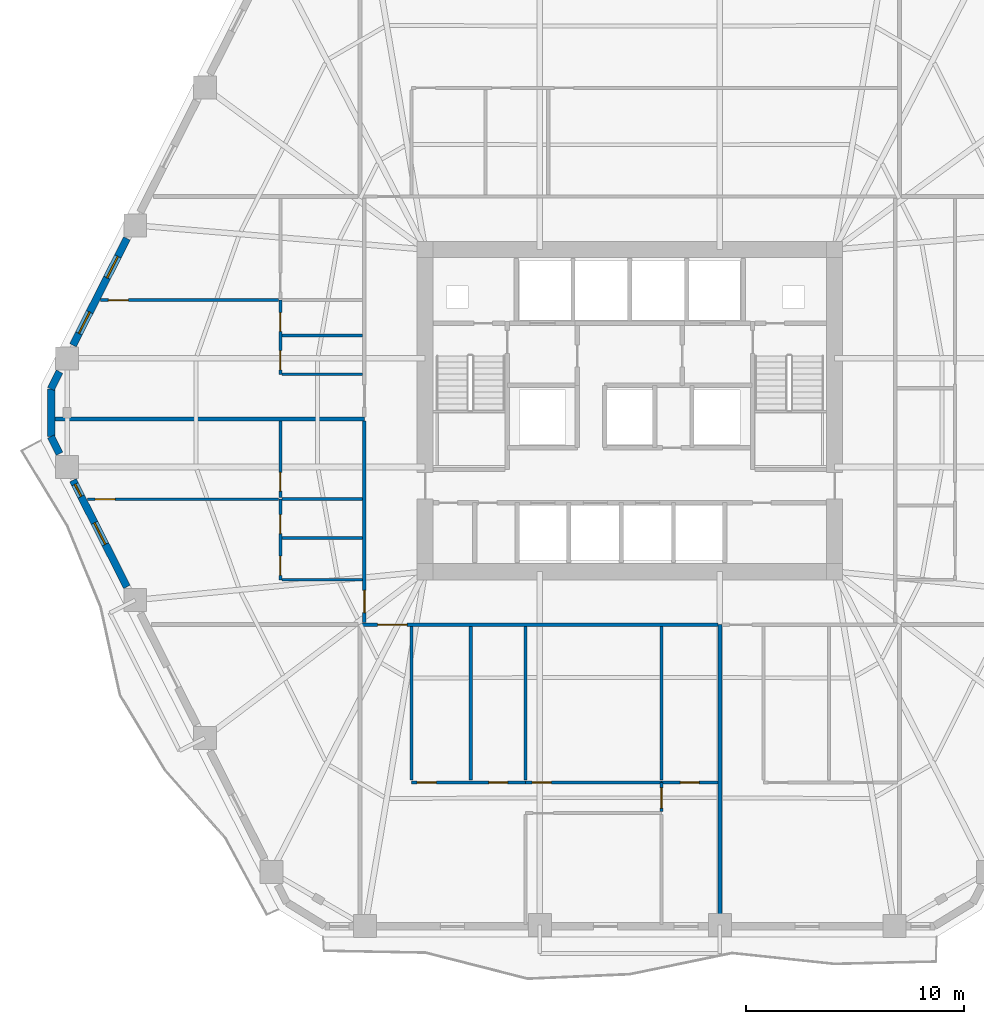
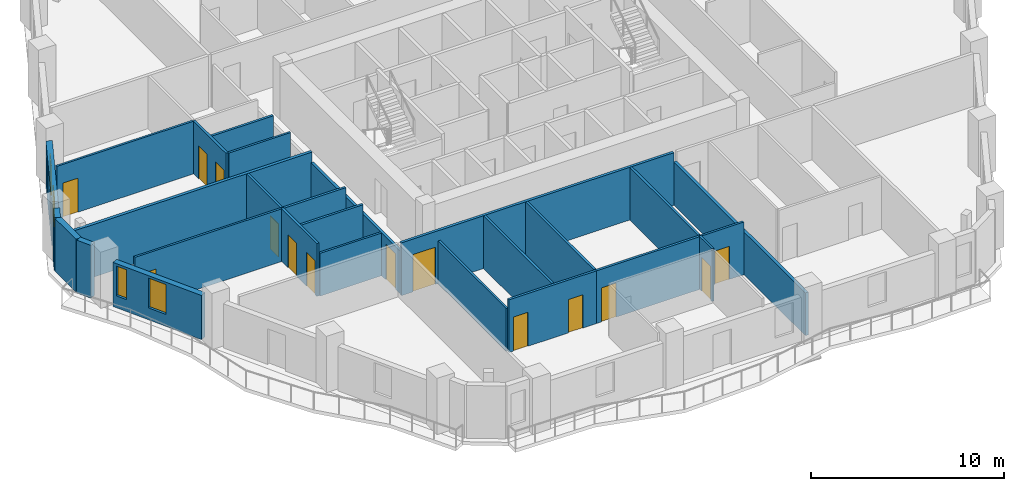
# One storey, part 4 of 10: 27 walls, 14 doors, 4 windows, 18 openings.
"""IFC4 building model written with IfcOpenShell, lengths in metres."""

from ifc_helpers import new_model, si_unit, direction, frame, frame_2d, origin, place, context, subcontext, project, spatial, rectangle, extrude, material, layer, layer_set, type_object, element, fill, save


model = new_model("IFC4")

# Units and contexts
model_context = context("Model", 3, precision=1e-05, world=origin(), true_north=direction((0.0, 1.0)))
body_context = subcontext(model_context, "Body", "Model", "MODEL_VIEW")
ifc_project = project(units=[si_unit("LENGTHUNIT", "METRE"), si_unit("AREAUNIT", "SQUARE_METRE"), si_unit("VOLUMEUNIT", "CUBIC_METRE"), si_unit("PLANEANGLEUNIT", "RADIAN"), si_unit("MASSUNIT", "GRAM", prefix="KILO")], contexts=[model_context])

# Site, building, storey
site_placement = place(None, origin())
site = spatial("IfcSite", under=ifc_project, at=site_placement, CompositionType="ELEMENT")
building_placement = place(site_placement, origin())
building = spatial("IfcBuilding", under=site, at=building_placement, Name="Cinnabar Lancet Tower", CompositionType="ELEMENT")
storey_placement = place(building_placement, frame((0.0, 0.0, 87.10009765625)))
storey = spatial("IfcBuildingStorey", under=building, at=storey_placement, Name="L22", CompositionType="ELEMENT", Elevation=87.10009765625)

# Wall, opening, door
ifc_material_1 = material(Name="Acoustic twin-stud gypsum partition", Category="gypsum")
ifc_layer_1 = layer(ifc_material_1, 0.159912109375)
ifc_layer_set_1 = layer_set([ifc_layer_1], Name="Acoustic twin-stud gypsum partition")
wall_type_1 = type_object("IfcWallType", Name="ARC-WL-CORR-160", PredefinedType="PARTITIONING", material=ifc_layer_set_1)
wall_1_placement = place(storey_placement, frame((20.14501953125, 16.10009765625, 0.0), z_axis=(0.0, 0.0, 1.0), x_axis=(1.0, 0.0, 0.0)))
wall_1 = element("IfcWall", 1, at=wall_1_placement, inside=storey, type_object=wall_type_1, Name="L22 Unit S01 Corridor Wall", PredefinedType="PARTITIONING", context=body_context, shape_type="SweptSolid", body=[
    extrude(rectangle(XDim=16.281982421875, YDim=0.159912109375, at=frame_2d((8.14111328125, 0.0))), origin(), (0.0, 0.0, 1.0), 3.329833984375),
])
opening_1_placement = place(wall_1_placement, frame((0.705078125, 0.0, 0.0)))
opening_1 = element("IfcOpeningElement", 2, at=opening_1_placement, cuts=wall_1, Name="Opening UD-02", PredefinedType="OPENING", context=body_context, shape_type="SweptSolid", body=[
    extrude(rectangle(XDim=1.35009765625, YDim=2.35009765625, at=frame_2d((0.675048828125, 1.175048828125))), frame((0.0, 0.08984375, 0.0), z_axis=(0.0, -1.0, 0.0), x_axis=(1.0, 0.0, 0.0)), (0.0, 0.0, 1.0), 0.179931640625),
])
ifc_material_2 = material(Name="Double-leaf solid timber penthouse entrance door", Category="wood")
door_type_1 = type_object("IfcDoorType", Name="ARC-DR-UNIT-PH", OperationType="NOTDEFINED", PredefinedType="DOOR", material=ifc_material_2)
door_1_placement = place(opening_1_placement, origin())
door_1 = element("IfcDoor", 3, at=door_1_placement, inside=storey, type_object=door_type_1, Name="DR-L22-S01-ENT", OperationType="SINGLE_SWING_LEFT", OverallHeight=2.35009765625, OverallWidth=1.35009765625, PredefinedType="DOOR", context=body_context, shape_type="SweptSolid", body=[
    extrude(rectangle(XDim=1.35009765625, YDim=2.35009765625, at=frame_2d((0.675048828125, 1.175048828125))), frame((0.0, 0.02490234375, 0.0), z_axis=(0.0, -1.0, 0.0), x_axis=(1.0, 0.0, 0.0)), (0.0, 0.0, 1.0), 0.050048828125),
])
fill(opening_1, door_1)

wall_2_placement = place(storey_placement, frame((20.25, 16.195068359375, 0.0), z_axis=(0.0, 0.0, 1.0), x_axis=(0.0, 1.0, 0.0)))
wall_2 = element("IfcWall", 4, at=wall_2_placement, inside=storey, type_object=wall_type_1, Name="UW-L22-W01-COR", PredefinedType="PARTITIONING", context=body_context, shape_type="SweptSolid", body=[
    extrude(rectangle(XDim=9.218017578125, YDim=0.159912109375, at=frame_2d((4.60888671875, 0.0))), origin(), (0.0, 0.0, 1.0), 2.699951171875),
])
opening_2_placement = place(wall_2_placement, frame((0.449951171875, 0.0, 0.0)))
opening_2 = element("IfcOpeningElement", 5, at=opening_2_placement, cuts=wall_2, Name="Opening UD-01", PredefinedType="OPENING", context=body_context, shape_type="SweptSolid", body=[
    extrude(rectangle(XDim=1.02001953125, YDim=2.25, at=frame_2d((0.510009765625, 1.125))), frame((0.0, 0.08984375, 0.0), z_axis=(0.0, -1.0, 0.0), x_axis=(1.0, 0.0, 0.0)), (0.0, 0.0, 1.0), 0.179931640625),
])
ifc_material_3 = material(Name="Solid timber fire-rated apartment entrance door", Category="wood")
door_type_2 = type_object("IfcDoorType", Name="ARC-DR-UNIT", OperationType="NOTDEFINED", PredefinedType="DOOR", material=ifc_material_3)
door_2_placement = place(opening_2_placement, origin())
door_2 = element("IfcDoor", 6, at=door_2_placement, inside=storey, type_object=door_type_2, Name="DR-L22-W01-ENT", OperationType="SINGLE_SWING_LEFT", OverallHeight=2.25, OverallWidth=1.02001953125, PredefinedType="DOOR", context=body_context, shape_type="SweptSolid", body=[
    extrude(rectangle(XDim=1.02001953125, YDim=2.25, at=frame_2d((0.510009765625, 1.125))), frame((0.0, 0.02490234375, 0.0), z_axis=(0.0, -1.0, 0.0), x_axis=(1.0, 0.0, 0.0)), (0.0, 0.0, 1.0), 0.050048828125),
])
fill(opening_2, door_2)

# Walls
ifc_material_4 = material(Name="Fire-rated twin-frame acoustic drywall", Category="gypsum")
ifc_layer_2 = layer(ifc_material_4, 0.179931640625)
ifc_layer_set_2 = layer_set([ifc_layer_2], Name="Fire-rated twin-frame acoustic drywall")
wall_type_2 = type_object("IfcWallType", Name="ARC-WL-PARTY-180", PredefinedType="PARTITIONING", material=ifc_layer_set_2)
wall_3_placement = place(storey_placement, frame((36.52197265625, 2.455078125, 0.0), z_axis=(0.0, 0.0, 1.0), x_axis=(0.0, 1.0, 0.0)))
element("IfcWall", 7, at=wall_3_placement, inside=storey, type_object=wall_type_2, Name="PW-L22-SPTY-365", PredefinedType="PARTITIONING", context=body_context, shape_type="SweptSolid", body=[
    extrude(rectangle(XDim=13.64501953125, YDim=0.179931640625, at=frame_2d((6.822509765625, 0.0))), origin(), (0.0, 0.0, 1.0), 2.699951171875),
])
wall_4_placement = place(storey_placement, frame((6.0869140625, 25.508056640625, 0.0), z_axis=(0.0, 0.0, 1.0), x_axis=(1.0, 0.0, 0.0)))
element("IfcWall", 8, at=wall_4_placement, inside=storey, type_object=wall_type_2, Name="PW-L22-WPTY-1", PredefinedType="PARTITIONING", context=body_context, shape_type="SweptSolid", body=[
    extrude(rectangle(XDim=14.1630859375, YDim=0.179931640625, at=frame_2d((7.08154296875, 0.0))), origin(), (0.0, 0.0, 1.0), 3.329833984375),
])
ifc_material_5 = material(Name="Gypsum plasterboard stud partition", Category="gypsum")
ifc_layer_3 = layer(ifc_material_5, 0.125)
ifc_layer_set_3 = layer_set([ifc_layer_3], Name="Gypsum plasterboard stud partition")
wall_type_3 = type_object("IfcWallType", Name="ARC-WL-UNIT-125", PredefinedType="PARTITIONING", material=ifc_layer_set_3)
wall_5_placement = place(storey_placement, frame((22.39990234375, 8.972900390625, 0.0), z_axis=(0.0, 0.0, 1.0), x_axis=(0.0, 1.0, 0.0)))
element("IfcWall", 9, at=wall_5_placement, inside=storey, type_object=wall_type_3, Name="UW-L22-S01-FOYE", PredefinedType="PARTITIONING", context=body_context, shape_type="SweptSolid", body=[
    extrude(rectangle(XDim=7.0419921875, YDim=0.125, at=frame_2d((3.52099609375, 0.0))), origin(), (0.0, 0.0, 1.0), 2.699951171875),
])

# Wall, opening, door
wall_6_placement = place(storey_placement, frame((33.85009765625, 8.867919921875, 0.0), z_axis=(0.0, 0.0, 1.0), x_axis=(1.0, 0.0, 0.0)))
wall_6 = element("IfcWall", 10, at=wall_6_placement, inside=storey, type_object=wall_type_3, Name="UW-L22-S01-SP2", PredefinedType="PARTITIONING", context=body_context, shape_type="SweptSolid", body=[
    extrude(rectangle(XDim=2.576904296875, YDim=0.125, at=frame_2d((1.28857421875, 0.0))), origin(), (0.0, 0.0, 1.0), 3.329833984375),
])
opening_3_placement = place(wall_6_placement, frame((0.863037109375, 0.0, 0.0)))
opening_3 = element("IfcOpeningElement", 11, at=opening_3_placement, cuts=wall_6, Name="Opening BD-01", PredefinedType="OPENING", context=body_context, shape_type="SweptSolid", body=[
    extrude(rectangle(XDim=0.860107421875, YDim=2.10009765625, at=frame_2d((0.43017578125, 1.050048828125))), frame((0.0, 0.072509765625, 0.0), z_axis=(0.0, -1.0, 0.0), x_axis=(1.0, 0.0, 0.0)), (0.0, 0.0, 1.0), 0.14501953125),
])
ifc_material_6 = material(Name="Moisture-resistant timber bathroom door", Category="wood")
door_type_3 = type_object("IfcDoorType", Name="ARC-DR-BATH", OperationType="NOTDEFINED", PredefinedType="DOOR", material=ifc_material_6)
door_3_placement = place(opening_3_placement, origin())
door_3 = element("IfcDoor", 12, at=door_3_placement, inside=storey, type_object=door_type_3, Name="DR-L22-S01-ENS", OperationType="SINGLE_SWING_LEFT", OverallHeight=2.10009765625, OverallWidth=0.860107421875, PredefinedType="DOOR", context=body_context, shape_type="SweptSolid", body=[
    extrude(rectangle(XDim=0.860107421875, YDim=2.10009765625, at=frame_2d((0.43017578125, 1.050048828125))), frame((0.0, 0.02490234375, 0.0), z_axis=(0.0, -1.0, 0.0), x_axis=(1.0, 0.0, 0.0)), (0.0, 0.0, 1.0), 0.050048828125),
])
fill(opening_3, door_3)

wall_7_placement = place(storey_placement, frame((33.85009765625, 7.5380859375, 0.0), z_axis=(0.0, 0.0, 1.0), x_axis=(0.0, 1.0, 0.0)))
wall_7 = element("IfcWall", 13, at=wall_7_placement, inside=storey, type_object=wall_type_3, Name="UW-L22-S01-MBE", PredefinedType="PARTITIONING", context=body_context, shape_type="SweptSolid", body=[
    extrude(rectangle(XDim=1.329833984375, YDim=0.125, at=frame_2d((0.6650390625, 0.0))), origin(), (0.0, 0.0, 1.0), 3.329833984375),
])
opening_4_placement = place(wall_7_placement, frame((0.159912109375, 0.0, 0.0)))
opening_4 = element("IfcOpeningElement", 14, at=opening_4_placement, cuts=wall_7, Name="Opening RD-01", PredefinedType="OPENING", context=body_context, shape_type="SweptSolid", body=[
    extrude(rectangle(XDim=0.919921875, YDim=2.14990234375, at=frame_2d((0.4599609375, 1.074951171875))), frame((0.0, 0.072509765625, 0.0), z_axis=(0.0, -1.0, 0.0), x_axis=(1.0, 0.0, 0.0)), (0.0, 0.0, 1.0), 0.14501953125),
])
ifc_material_7 = material(Name="Engineered timber bedroom door", Category="wood")
door_type_4 = type_object("IfcDoorType", Name="ARC-DR-ROOM", OperationType="NOTDEFINED", PredefinedType="DOOR", material=ifc_material_7)
door_4_placement = place(opening_4_placement, origin())
door_4 = element("IfcDoor", 15, at=door_4_placement, inside=storey, type_object=door_type_4, Name="DR-L22-S01-MBD", OperationType="SINGLE_SWING_RIGHT", OverallHeight=2.14990234375, OverallWidth=0.919921875, PredefinedType="DOOR", context=body_context, shape_type="SweptSolid", body=[
    extrude(rectangle(XDim=0.919921875, YDim=2.14990234375, at=frame_2d((0.4599609375, 1.074951171875))), frame((0.0, 0.02490234375, 0.0), z_axis=(0.0, -1.0, 0.0), x_axis=(1.0, 0.0, 0.0)), (0.0, 0.0, 1.0), 0.050048828125),
])
fill(opening_4, door_4)

# Wall
wall_8_placement = place(storey_placement, frame((16.485107421875, 18.14990234375, 0.0), z_axis=(0.0, 0.0, 1.0), x_axis=(1.0, 0.0, 0.0)))
element("IfcWall", 16, at=wall_8_placement, inside=storey, type_object=wall_type_3, Name="UW-L22-W01-FOYN", PredefinedType="PARTITIONING", context=body_context, shape_type="SweptSolid", body=[
    extrude(rectangle(XDim=3.679931640625, YDim=0.125, at=frame_2d((1.83984375, 0.0))), origin(), (0.0, 0.0, 1.0), 2.699951171875),
])

# Wall, opening, door
wall_9_placement = place(storey_placement, frame((7.568115234375, 21.839111328125, 0.0), z_axis=(0.0, 0.0, 1.0), x_axis=(1.0, 0.0, 0.0)))
wall_9 = element("IfcWall", 17, at=wall_9_placement, inside=storey, type_object=wall_type_3, Name="UW-L22-W01-MBN", PredefinedType="PARTITIONING", context=body_context, shape_type="SweptSolid", body=[
    extrude(rectangle(XDim=8.7568359375, YDim=0.125, at=frame_2d((4.37841796875, 0.0))), origin(), (0.0, 0.0, 1.0), 3.329833984375),
])
opening_5_placement = place(wall_9_placement, frame((0.35009765625, 0.0, 0.0)))
opening_5 = element("IfcOpeningElement", 18, at=opening_5_placement, cuts=wall_9, Name="Opening RD-01", PredefinedType="OPENING", context=body_context, shape_type="SweptSolid", body=[
    extrude(rectangle(XDim=0.919921875, YDim=2.14990234375, at=frame_2d((0.4599609375, 1.074951171875))), frame((0.0, 0.072509765625, 0.0), z_axis=(0.0, -1.0, 0.0), x_axis=(1.0, 0.0, 0.0)), (0.0, 0.0, 1.0), 0.14501953125),
])
door_5_placement = place(opening_5_placement, origin())
door_5 = element("IfcDoor", 19, at=door_5_placement, inside=storey, type_object=door_type_4, Name="DR-L22-W01-MBD", OperationType="SINGLE_SWING_LEFT", OverallHeight=2.14990234375, OverallWidth=0.919921875, PredefinedType="DOOR", context=body_context, shape_type="SweptSolid", body=[
    extrude(rectangle(XDim=0.919921875, YDim=2.14990234375, at=frame_2d((0.4599609375, 1.074951171875))), frame((0.0, 0.02490234375, 0.0), z_axis=(0.0, -1.0, 0.0), x_axis=(1.0, 0.0, 0.0)), (0.0, 0.0, 1.0), 0.050048828125),
])
fill(opening_5, door_5)

# Wall
wall_10_placement = place(storey_placement, frame((16.485107421875, 27.55810546875, 0.0), z_axis=(0.0, 0.0, 1.0), x_axis=(1.0, 0.0, 0.0)))
element("IfcWall", 20, at=wall_10_placement, inside=storey, type_object=wall_type_3, Name="UW-L22-W02-FOYN", PredefinedType="PARTITIONING", context=body_context, shape_type="SweptSolid", body=[
    extrude(rectangle(XDim=3.679931640625, YDim=0.125, at=frame_2d((1.83984375, 0.0))), origin(), (0.0, 0.0, 1.0), 3.329833984375),
])

# Wall, opening, door
wall_11_placement = place(storey_placement, frame((8.174072265625, 30.9580078125, 0.0), z_axis=(0.0, 0.0, 1.0), x_axis=(1.0, 0.0, 0.0)))
wall_11 = element("IfcWall", 21, at=wall_11_placement, inside=storey, type_object=wall_type_3, Name="UW-L22-W02-MBN", PredefinedType="PARTITIONING", context=body_context, shape_type="SweptSolid", body=[
    extrude(rectangle(XDim=8.15087890625, YDim=0.125, at=frame_2d((4.075439453125, 0.0))), origin(), (0.0, 0.0, 1.0), 3.329833984375),
])
opening_6_placement = place(wall_11_placement, frame((0.35009765625, 0.0, 0.0)))
opening_6 = element("IfcOpeningElement", 22, at=opening_6_placement, cuts=wall_11, Name="Opening RD-01", PredefinedType="OPENING", context=body_context, shape_type="SweptSolid", body=[
    extrude(rectangle(XDim=0.919921875, YDim=2.14990234375, at=frame_2d((0.4599609375, 1.074951171875))), frame((0.0, 0.072509765625, 0.0), z_axis=(0.0, -1.0, 0.0), x_axis=(1.0, 0.0, 0.0)), (0.0, 0.0, 1.0), 0.14501953125),
])
door_6_placement = place(opening_6_placement, origin())
door_6 = element("IfcDoor", 23, at=door_6_placement, inside=storey, type_object=door_type_4, Name="DR-L22-W02-MBD", OperationType="SINGLE_SWING_RIGHT", OverallHeight=2.14990234375, OverallWidth=0.919921875, PredefinedType="DOOR", context=body_context, shape_type="SweptSolid", body=[
    extrude(rectangle(XDim=0.919921875, YDim=2.14990234375, at=frame_2d((0.4599609375, 1.074951171875))), frame((0.0, 0.02490234375, 0.0), z_axis=(0.0, -1.0, 0.0), x_axis=(1.0, 0.0, 0.0)), (0.0, 0.0, 1.0), 0.050048828125),
])
fill(opening_6, door_6)

# Wall, openings, doors
ifc_material_8 = material(Name="Moisture-resistant cement-board plumbing wall", Category="masonry")
ifc_layer_4 = layer(ifc_material_8, 0.139892578125)
ifc_layer_set_4 = layer_set([ifc_layer_4], Name="Moisture-resistant cement-board plumbing wall")
wall_type_4 = type_object("IfcWallType", Name="ARC-WL-WET-140", PredefinedType="PLUMBINGWALL", material=ifc_layer_set_4)
wall_12_placement = place(storey_placement, frame((22.39990234375, 8.867919921875, 0.0), z_axis=(0.0, 0.0, 1.0), x_axis=(1.0, 0.0, 0.0)))
wall_12 = element("IfcWall", 24, at=wall_12_placement, inside=storey, type_object=wall_type_4, Name="UW-L22-S01-SPL", PredefinedType="PLUMBINGWALL", context=body_context, shape_type="SweptSolid", body=[
    extrude(rectangle(XDim=5.22705078125, YDim=0.139892578125, at=frame_2d((2.613525390625, 0.0))), origin(), (0.0, 0.0, 1.0), 3.329833984375),
])
opening_7_placement = place(wall_12_placement, frame((3.548095703125, 0.0, 0.0)))
opening_7 = element("IfcOpeningElement", 25, at=opening_7_placement, cuts=wall_12, Name="Opening BD-01", PredefinedType="OPENING", context=body_context, shape_type="SweptSolid", body=[
    extrude(rectangle(XDim=0.860107421875, YDim=2.10009765625, at=frame_2d((0.43017578125, 1.050048828125))), frame((0.0, 0.079833984375, 0.0), z_axis=(0.0, -1.0, 0.0), x_axis=(1.0, 0.0, 0.0)), (0.0, 0.0, 1.0), 0.159912109375),
])
opening_8_placement = place(wall_12_placement, frame((0.260009765625, 0.0, 0.0)))
opening_8 = element("IfcOpeningElement", 26, at=opening_8_placement, cuts=wall_12, Name="Opening RD-02", PredefinedType="OPENING", context=body_context, shape_type="SweptSolid", body=[
    extrude(rectangle(XDim=0.8798828125, YDim=2.14990234375, at=frame_2d((0.43994140625, 1.074951171875))), frame((0.0, 0.079833984375, 0.0), z_axis=(0.0, -1.0, 0.0), x_axis=(1.0, 0.0, 0.0)), (0.0, 0.0, 1.0), 0.159912109375),
])
door_7_placement = place(opening_7_placement, origin())
door_7 = element("IfcDoor", 27, at=door_7_placement, inside=storey, type_object=door_type_3, Name="DR-L22-S01-BTH", OperationType="SINGLE_SWING_LEFT", OverallHeight=2.10009765625, OverallWidth=0.860107421875, PredefinedType="DOOR", context=body_context, shape_type="SweptSolid", body=[
    extrude(rectangle(XDim=0.860107421875, YDim=2.10009765625, at=frame_2d((0.43017578125, 1.050048828125))), frame((0.0, 0.02490234375, 0.0), z_axis=(0.0, -1.0, 0.0), x_axis=(1.0, 0.0, 0.0)), (0.0, 0.0, 1.0), 0.050048828125),
])
fill(opening_7, door_7)
ifc_material_9 = material(Name="Engineered timber study door", Category="wood")
door_type_5 = type_object("IfcDoorType", Name="ARC-DR-STUDY", OperationType="NOTDEFINED", PredefinedType="DOOR", material=ifc_material_9)
door_8_placement = place(opening_8_placement, origin())
door_8 = element("IfcDoor", 28, at=door_8_placement, inside=storey, type_object=door_type_5, Name="DR-L22-S01-KIT", OperationType="SINGLE_SWING_RIGHT", OverallHeight=2.14990234375, OverallWidth=0.8798828125, PredefinedType="DOOR", context=body_context, shape_type="SweptSolid", body=[
    extrude(rectangle(XDim=0.8798828125, YDim=2.14990234375, at=frame_2d((0.43994140625, 1.074951171875))), frame((0.0, 0.02490234375, 0.0), z_axis=(0.0, -1.0, 0.0), x_axis=(1.0, 0.0, 0.0)), (0.0, 0.0, 1.0), 0.050048828125),
])
fill(opening_8, door_8)

# Wall, opening, door
wall_13_placement = place(storey_placement, frame((27.626953125, 8.867919921875, 0.0), z_axis=(0.0, 0.0, 1.0), x_axis=(1.0, 0.0, 0.0)))
wall_13 = element("IfcWall", 29, at=wall_13_placement, inside=storey, type_object=wall_type_4, Name="UW-L22-S01-SPM", PredefinedType="PLUMBINGWALL", context=body_context, shape_type="SweptSolid", body=[
    extrude(rectangle(XDim=6.22314453125, YDim=0.139892578125, at=frame_2d((3.111572265625, 0.0))), origin(), (0.0, 0.0, 1.0), 3.329833984375),
])
opening_9_placement = place(wall_13_placement, frame((0.300048828125, 0.0, 0.0)))
opening_9 = element("IfcOpeningElement", 30, at=opening_9_placement, cuts=wall_13, Name="Opening RD-02", PredefinedType="OPENING", context=body_context, shape_type="SweptSolid", body=[
    extrude(rectangle(XDim=0.8798828125, YDim=2.14990234375, at=frame_2d((0.43994140625, 1.074951171875))), frame((0.0, 0.079833984375, 0.0), z_axis=(0.0, -1.0, 0.0), x_axis=(1.0, 0.0, 0.0)), (0.0, 0.0, 1.0), 0.159912109375),
])
door_9_placement = place(opening_9_placement, origin())
door_9 = element("IfcDoor", 31, at=door_9_placement, inside=storey, type_object=door_type_5, Name="DR-L22-S01-UTL", OperationType="SINGLE_SWING_LEFT", OverallHeight=2.14990234375, OverallWidth=0.8798828125, PredefinedType="DOOR", context=body_context, shape_type="SweptSolid", body=[
    extrude(rectangle(XDim=0.8798828125, YDim=2.14990234375, at=frame_2d((0.43994140625, 1.074951171875))), frame((0.0, 0.02490234375, 0.0), z_axis=(0.0, -1.0, 0.0), x_axis=(1.0, 0.0, 0.0)), (0.0, 0.0, 1.0), 0.050048828125),
])
fill(opening_9, door_9)

# Walls
for number, where, z_axis, x_axis, name in (
    (32, (25.117919921875, 8.972900390625, 0.0), (0.0, 0.0, 1.0), (0.0, 1.0, 0.0), "UW-L22-S01-KDV"),
    (33, (27.626953125, 8.972900390625, 0.0), (0.0, 0.0, 1.0), (0.0, 1.0, 0.0), "UW-L22-S01-ENSW"),
    (34, (33.85009765625, 8.972900390625, 0.0), (0.0, 0.0, 1.0), (0.0, 1.0, 0.0), "UW-L22-S01-ENSE"),
):
    element("IfcWall", number, at=place(storey_placement, frame(where, z_axis=z_axis, x_axis=x_axis)), inside=storey, type_object=wall_type_4, Name=name, PredefinedType="PLUMBINGWALL", context=body_context, shape_type="SweptSolid", body=[
        extrude(rectangle(XDim=7.0419921875, YDim=0.139892578125, at=frame_2d((3.52099609375, 0.0))), origin(), (0.0, 0.0, 1.0), 3.329833984375),
    ])

# Wall, openings, doors
wall_14_placement = place(storey_placement, frame((16.39990234375, 18.14990234375, 0.0), z_axis=(0.0, 0.0, 1.0), x_axis=(0.0, 1.0, 0.0)))
wall_14 = element("IfcWall", 35, at=wall_14_placement, inside=storey, type_object=wall_type_4, Name="UW-L22-W01-SPL", PredefinedType="PLUMBINGWALL", context=body_context, shape_type="SweptSolid", body=[
    extrude(rectangle(XDim=3.689208984375, YDim=0.139892578125, at=frame_2d((1.8447265625, 0.0))), origin(), (0.0, 0.0, 1.0), 3.329833984375),
])
opening_10_placement = place(wall_14_placement, frame((0.199951171875, 0.0, 0.0)))
opening_10 = element("IfcOpeningElement", 36, at=opening_10_placement, cuts=wall_14, Name="Opening RD-02", PredefinedType="OPENING", context=body_context, shape_type="SweptSolid", body=[
    extrude(rectangle(XDim=0.8798828125, YDim=2.14990234375, at=frame_2d((0.43994140625, 1.074951171875))), frame((0.0, 0.079833984375, 0.0), z_axis=(0.0, -1.0, 0.0), x_axis=(1.0, 0.0, 0.0)), (0.0, 0.0, 1.0), 0.159912109375),
])
opening_11_placement = place(wall_14_placement, frame((2.117919921875, 0.0, 0.0)))
opening_11 = element("IfcOpeningElement", 37, at=opening_11_placement, cuts=wall_14, Name="Opening BD-01", PredefinedType="OPENING", context=body_context, shape_type="SweptSolid", body=[
    extrude(rectangle(XDim=0.860107421875, YDim=2.10009765625, at=frame_2d((0.43017578125, 1.050048828125))), frame((0.0, 0.079833984375, 0.0), z_axis=(0.0, -1.0, 0.0), x_axis=(1.0, 0.0, 0.0)), (0.0, 0.0, 1.0), 0.159912109375),
])
door_10_placement = place(opening_11_placement, origin())
door_10 = element("IfcDoor", 38, at=door_10_placement, inside=storey, type_object=door_type_3, Name="DR-L22-W01-BTH", OperationType="SINGLE_SWING_LEFT", OverallHeight=2.10009765625, OverallWidth=0.860107421875, PredefinedType="DOOR", context=body_context, shape_type="SweptSolid", body=[
    extrude(rectangle(XDim=0.860107421875, YDim=2.10009765625, at=frame_2d((0.43017578125, 1.050048828125))), frame((0.0, 0.02490234375, 0.0), z_axis=(0.0, -1.0, 0.0), x_axis=(1.0, 0.0, 0.0)), (0.0, 0.0, 1.0), 0.050048828125),
])
fill(opening_11, door_10)
door_11_placement = place(opening_10_placement, origin())
door_11 = element("IfcDoor", 39, at=door_11_placement, inside=storey, type_object=door_type_5, Name="DR-L22-W01-KIT", OperationType="SINGLE_SWING_RIGHT", OverallHeight=2.14990234375, OverallWidth=0.8798828125, PredefinedType="DOOR", context=body_context, shape_type="SweptSolid", body=[
    extrude(rectangle(XDim=0.8798828125, YDim=2.14990234375, at=frame_2d((0.43994140625, 1.074951171875))), frame((0.0, 0.02490234375, 0.0), z_axis=(0.0, -1.0, 0.0), x_axis=(1.0, 0.0, 0.0)), (0.0, 0.0, 1.0), 0.050048828125),
])
fill(opening_10, door_11)

# Wall, opening, door
wall_15_placement = place(storey_placement, frame((16.39990234375, 21.908935546875, 0.0), z_axis=(0.0, 0.0, 1.0), x_axis=(0.0, 1.0, 0.0)))
wall_15 = element("IfcWall", 40, at=wall_15_placement, inside=storey, type_object=wall_type_4, Name="UW-L22-W01-SPM", PredefinedType="PLUMBINGWALL", context=body_context, shape_type="SweptSolid", body=[
    extrude(rectangle(XDim=3.504150390625, YDim=0.139892578125, at=frame_2d((1.751953125, 0.0))), origin(), (0.0, 0.0, 1.0), 3.329833984375),
])
opening_12_placement = place(wall_15_placement, frame((0.300048828125, 0.0, 0.0)))
opening_12 = element("IfcOpeningElement", 41, at=opening_12_placement, cuts=wall_15, Name="Opening BD-01", PredefinedType="OPENING", context=body_context, shape_type="SweptSolid", body=[
    extrude(rectangle(XDim=0.860107421875, YDim=2.10009765625, at=frame_2d((0.43017578125, 1.050048828125))), frame((0.0, 0.079833984375, 0.0), z_axis=(0.0, -1.0, 0.0), x_axis=(1.0, 0.0, 0.0)), (0.0, 0.0, 1.0), 0.159912109375),
])
door_12_placement = place(opening_12_placement, origin())
door_12 = element("IfcDoor", 42, at=door_12_placement, inside=storey, type_object=door_type_3, Name="DR-L22-W01-ENS", OperationType="SINGLE_SWING_LEFT", OverallHeight=2.10009765625, OverallWidth=0.860107421875, PredefinedType="DOOR", context=body_context, shape_type="SweptSolid", body=[
    extrude(rectangle(XDim=0.860107421875, YDim=2.10009765625, at=frame_2d((0.43017578125, 1.050048828125))), frame((0.0, 0.02490234375, 0.0), z_axis=(0.0, -1.0, 0.0), x_axis=(1.0, 0.0, 0.0)), (0.0, 0.0, 1.0), 0.050048828125),
])
fill(opening_12, door_12)

# Walls
for number, where, z_axis, x_axis, name in (
    (43, (16.485107421875, 21.839111328125, 0.0), (0.0, 0.0, 1.0), (1.0, 0.0, 0.0), "UW-L22-W01-ENSN"),
    (44, (16.485107421875, 20.068115234375, 0.0), (0.0, 0.0, 1.0), (1.0, 0.0, 0.0), "UW-L22-W01-KDV"),
):
    element("IfcWall", number, at=place(storey_placement, frame(where, z_axis=z_axis, x_axis=x_axis)), inside=storey, type_object=wall_type_4, Name=name, PredefinedType="PLUMBINGWALL", context=body_context, shape_type="SweptSolid", body=[
        extrude(rectangle(XDim=3.679931640625, YDim=0.139892578125, at=frame_2d((1.83984375, 0.0))), origin(), (0.0, 0.0, 1.0), 3.329833984375),
    ])

# Wall, openings, doors
wall_16_placement = place(storey_placement, frame((16.39990234375, 27.55810546875, 0.0), z_axis=(0.0, 0.0, 1.0), x_axis=(0.0, 1.0, 0.0)))
wall_16 = element("IfcWall", 45, at=wall_16_placement, inside=storey, type_object=wall_type_4, Name="UW-L22-W02-SPL", PredefinedType="PLUMBINGWALL", context=body_context, shape_type="SweptSolid", body=[
    extrude(rectangle(XDim=3.39990234375, YDim=0.139892578125, at=frame_2d((1.699951171875, 0.0))), origin(), (0.0, 0.0, 1.0), 3.329833984375),
])
opening_13_placement = place(wall_16_placement, frame((0.199951171875, 0.0, 0.0)))
opening_13 = element("IfcOpeningElement", 46, at=opening_13_placement, cuts=wall_16, Name="Opening RD-02", PredefinedType="OPENING", context=body_context, shape_type="SweptSolid", body=[
    extrude(rectangle(XDim=0.8798828125, YDim=2.14990234375, at=frame_2d((0.43994140625, 1.074951171875))), frame((0.0, 0.079833984375, 0.0), z_axis=(0.0, -1.0, 0.0), x_axis=(1.0, 0.0, 0.0)), (0.0, 0.0, 1.0), 0.159912109375),
])
opening_14_placement = place(wall_16_placement, frame((1.968017578125, 0.0, 0.0)))
opening_14 = element("IfcOpeningElement", 47, at=opening_14_placement, cuts=wall_16, Name="Opening BD-01", PredefinedType="OPENING", context=body_context, shape_type="SweptSolid", body=[
    extrude(rectangle(XDim=0.860107421875, YDim=2.10009765625, at=frame_2d((0.43017578125, 1.050048828125))), frame((0.0, 0.079833984375, 0.0), z_axis=(0.0, -1.0, 0.0), x_axis=(1.0, 0.0, 0.0)), (0.0, 0.0, 1.0), 0.159912109375),
])
door_13_placement = place(opening_14_placement, origin())
door_13 = element("IfcDoor", 48, at=door_13_placement, inside=storey, type_object=door_type_3, Name="DR-L22-W02-BTH", OperationType="SINGLE_SWING_RIGHT", OverallHeight=2.10009765625, OverallWidth=0.860107421875, PredefinedType="DOOR", context=body_context, shape_type="SweptSolid", body=[
    extrude(rectangle(XDim=0.860107421875, YDim=2.10009765625, at=frame_2d((0.43017578125, 1.050048828125))), frame((0.0, 0.02490234375, 0.0), z_axis=(0.0, -1.0, 0.0), x_axis=(1.0, 0.0, 0.0)), (0.0, 0.0, 1.0), 0.050048828125),
])
fill(opening_14, door_13)
door_14_placement = place(opening_13_placement, origin())
door_14 = element("IfcDoor", 49, at=door_14_placement, inside=storey, type_object=door_type_5, Name="DR-L22-W02-KIT", OperationType="SINGLE_SWING_LEFT", OverallHeight=2.14990234375, OverallWidth=0.8798828125, PredefinedType="DOOR", context=body_context, shape_type="SweptSolid", body=[
    extrude(rectangle(XDim=0.8798828125, YDim=2.14990234375, at=frame_2d((0.43994140625, 1.074951171875))), frame((0.0, 0.02490234375, 0.0), z_axis=(0.0, -1.0, 0.0), x_axis=(1.0, 0.0, 0.0)), (0.0, 0.0, 1.0), 0.050048828125),
])
fill(opening_13, door_14)

# Walls
wall_17_placement = place(storey_placement, frame((16.485107421875, 29.325927734375, 0.0), z_axis=(0.0, 0.0, 1.0), x_axis=(1.0, 0.0, 0.0)))
element("IfcWall", 50, at=wall_17_placement, inside=storey, type_object=wall_type_4, Name="UW-L22-W02-KDV", PredefinedType="PLUMBINGWALL", context=body_context, shape_type="SweptSolid", body=[
    extrude(rectangle(XDim=3.679931640625, YDim=0.139892578125, at=frame_2d((1.83984375, 0.0))), origin(), (0.0, 0.0, 1.0), 3.329833984375),
])
ifc_material_10 = material(Name="Cinnabar red clay brick", Category="masonry")
ifc_layer_5 = layer(ifc_material_10, 0.340087890625)
ifc_layer_set_5 = layer_set([ifc_layer_5], Name="Cinnabar red clay brick")
wall_type_5 = type_object("IfcWallType", Name="ENV-WL-BRK-RED-340", PredefinedType="STANDARD", material=ifc_layer_set_5)
wall_18_placement = place(storey_placement, frame((5.912109375, 26.885986328125, 0.0), z_axis=(0.0, 0.0, 1.0), x_axis=(0.0, -1.0, 0.0)))
element("IfcWall", 51, at=wall_18_placement, inside=storey, type_object=wall_type_5, Name="L22 Chamfered Corner Brick Pier 6.1", PredefinedType="STANDARD", context=body_context, shape_type="SweptSolid", body=[
    extrude(rectangle(XDim=2.171875, YDim=0.340087890625, at=frame_2d((1.0859375, 0.0))), origin(), (0.0, 0.0, 1.0), 3.329833984375),
])

# Wall, openings, windows
wall_19_placement = place(storey_placement, frame((9.3740234375, 33.77587890625, 0.0), z_axis=(0.0, 0.0, 1.0), x_axis=(-0.451597066012, -0.892221995901, 0.0)))
wall_19 = element("IfcWall", 52, at=wall_19_placement, inside=storey, type_object=wall_type_5, Name="L22 Face 5 Masonry Bay Wall 4", PredefinedType="STANDARD", context=body_context, shape_type="SweptSolid", body=[
    extrude(rectangle(XDim=5.4736328125, YDim=0.340087890625, at=frame_2d((2.73681640625, 0.0))), origin(), (0.0, 0.0, 1.0), 2.786865234375),
])
opening_15_placement = place(wall_19_placement, frame((0.91796875, 0.0, 0.75)))
opening_15 = element("IfcOpeningElement", 53, at=opening_15_placement, cuts=wall_19, Name="Opening WN-04", PredefinedType="OPENING", context=body_context, shape_type="SweptSolid", body=[
    extrude(rectangle(XDim=1.10009765625, YDim=1.886962890625, at=frame_2d((0.550048828125, 0.943359375))), frame((0.0, 0.179931640625, 0.0), z_axis=(0.0, -1.0, 0.0), x_axis=(1.0, 0.0, 0.0)), (0.0, 0.0, 1.0), 0.360107421875),
])
opening_16_placement = place(wall_19_placement, frame((3.77490234375, 0.0, 0.75)))
opening_16 = element("IfcOpeningElement", 54, at=opening_16_placement, cuts=wall_19, Name="Opening WN-04", PredefinedType="OPENING", context=body_context, shape_type="SweptSolid", body=[
    extrude(rectangle(XDim=1.10009765625, YDim=1.886962890625, at=frame_2d((0.550048828125, 0.943359375))), frame((0.0, 0.179931640625, 0.0), z_axis=(0.0, -1.0, 0.0), x_axis=(1.0, 0.0, 0.0)), (0.0, 0.0, 1.0), 0.360107421875),
])
ifc_material_11 = material(Name="Thermally broken bronze-anodized aluminium tall lancet window", Category="aluminium")
window_type = type_object("IfcWindowType", Name="ENV-WN-LANCET-1100", PartitioningType="SINGLE_PANEL", PredefinedType="WINDOW", material=ifc_material_11)
window_1_placement = place(opening_15_placement, origin())
window_1 = element("IfcWindow", 55, at=window_1_placement, inside=storey, type_object=window_type, Name="L22 Face 5 Gothic Lancet Window 4", OverallHeight=1.886962890625, OverallWidth=1.10009765625, PartitioningType="SINGLE_PANEL", PredefinedType="WINDOW", context=body_context, shape_type="SweptSolid", body=[
    extrude(rectangle(XDim=1.10009765625, YDim=1.886962890625, at=frame_2d((0.550048828125, 0.943359375))), frame((0.0, 0.030029296875, 0.0), z_axis=(0.0, -1.0, 0.0), x_axis=(1.0, 0.0, 0.0)), (0.0, 0.0, 1.0), 0.06005859375),
])
fill(opening_15, window_1)
window_2_placement = place(opening_16_placement, origin())
window_2 = element("IfcWindow", 56, at=window_2_placement, inside=storey, type_object=window_type, Name="L22 Split-Bay Gothic Lancet Window 71", OverallHeight=1.886962890625, OverallWidth=1.10009765625, PartitioningType="SINGLE_PANEL", PredefinedType="WINDOW", context=body_context, shape_type="SweptSolid", body=[
    extrude(rectangle(XDim=1.10009765625, YDim=1.886962890625, at=frame_2d((0.550048828125, 0.943359375))), frame((0.0, 0.030029296875, 0.0), z_axis=(0.0, -1.0, 0.0), x_axis=(1.0, 0.0, 0.0)), (0.0, 0.0, 1.0), 0.06005859375),
])
fill(opening_16, window_2)

# Walls
wall_20_placement = place(storey_placement, frame((6.2890625, 27.679931640625, 0.0), z_axis=(0.0, 0.0, 1.0), x_axis=(-0.451306655769, -0.892368927327, 0.0)))
element("IfcWall", 57, at=wall_20_placement, inside=storey, type_object=wall_type_5, Name="L22 Face 5 Masonry Bay Wall 5", PredefinedType="STANDARD", context=body_context, shape_type="SweptSolid", body=[
    extrude(rectangle(XDim=0.8818359375, YDim=0.340087890625, at=frame_2d((0.44091796875, 0.0))), origin(), (0.0, 0.0, 1.0), 3.329833984375),
])
wall_21_placement = place(storey_placement, frame((5.89111328125, 24.70703125, 0.0), z_axis=(0.0, 0.0, 1.0), x_axis=(0.451195173259, -0.892425299747, 0.0)))
element("IfcWall", 58, at=wall_21_placement, inside=storey, type_object=wall_type_5, Name="L22 Face 6 Masonry Bay Wall 1", PredefinedType="STANDARD", context=body_context, shape_type="SweptSolid", body=[
    extrude(rectangle(XDim=0.882080078125, YDim=0.340087890625, at=frame_2d((0.44091796875, 0.0))), origin(), (0.0, 0.0, 1.0), 3.329833984375),
])

# Wall, openings, windows
wall_22_placement = place(storey_placement, frame((6.902099609375, 22.7080078125, 0.0), z_axis=(0.0, 0.0, 1.0), x_axis=(0.451579095309, -0.892231091523, 0.0)))
wall_22 = element("IfcWall", 59, at=wall_22_placement, inside=storey, type_object=wall_type_5, Name="L22 Face 6 Masonry Bay Wall 2", PredefinedType="STANDARD", context=body_context, shape_type="SweptSolid", body=[
    extrude(rectangle(XDim=5.473876953125, YDim=0.340087890625, at=frame_2d((2.73681640625, 0.0))), origin(), (0.0, 0.0, 1.0), 2.786865234375),
])
opening_17_placement = place(wall_22_placement, frame((2.18701171875, 0.0, 0.75)))
opening_17 = element("IfcOpeningElement", 60, at=opening_17_placement, cuts=wall_22, Name="Opening WN-04", PredefinedType="OPENING", context=body_context, shape_type="SweptSolid", body=[
    extrude(rectangle(XDim=1.10009765625, YDim=1.886962890625, at=frame_2d((0.550048828125, 0.943359375))), frame((0.0, 0.179931640625, 0.0), z_axis=(0.0, -1.0, 0.0), x_axis=(1.0, 0.0, 0.0)), (0.0, 0.0, 1.0), 0.360107421875),
])
opening_18_placement = place(wall_22_placement, frame((0.2099609375, 0.0, 0.75)))
opening_18 = element("IfcOpeningElement", 61, at=opening_18_placement, cuts=wall_22, Name="Opening WN-04", PredefinedType="OPENING", context=body_context, shape_type="SweptSolid", body=[
    extrude(rectangle(XDim=0.6259765625, YDim=1.886962890625, at=frame_2d((0.31298828125, 0.943359375))), frame((0.0, 0.179931640625, 0.0), z_axis=(0.0, -1.0, 0.0), x_axis=(1.0, 0.0, 0.0)), (0.0, 0.0, 1.0), 0.360107421875),
])
window_3_placement = place(opening_17_placement, origin())
window_3 = element("IfcWindow", 62, at=window_3_placement, inside=storey, type_object=window_type, Name="L22 Face 6 Gothic Lancet Window 2", OverallHeight=1.886962890625, OverallWidth=1.10009765625, PartitioningType="SINGLE_PANEL", PredefinedType="WINDOW", context=body_context, shape_type="SweptSolid", body=[
    extrude(rectangle(XDim=1.10009765625, YDim=1.886962890625, at=frame_2d((0.550048828125, 0.943359375))), frame((0.0, 0.030029296875, 0.0), z_axis=(0.0, -1.0, 0.0), x_axis=(1.0, 0.0, 0.0)), (0.0, 0.0, 1.0), 0.06005859375),
])
fill(opening_17, window_3)
window_4_placement = place(opening_18_placement, origin())
window_4 = element("IfcWindow", 63, at=window_4_placement, inside=storey, type_object=window_type, Name="L22 Dwelling Gothic Lancet Window 312", OverallHeight=1.886962890625, OverallWidth=0.6259765625, PartitioningType="SINGLE_PANEL", PredefinedType="WINDOW", context=body_context, shape_type="SweptSolid", body=[
    extrude(rectangle(XDim=0.6259765625, YDim=1.886962890625, at=frame_2d((0.31298828125, 0.943359375))), frame((0.0, 0.030029296875, 0.0), z_axis=(0.0, -1.0, 0.0), x_axis=(1.0, 0.0, 0.0)), (0.0, 0.0, 1.0), 0.06005859375),
])
fill(opening_18, window_4)

save(model, "model.ifc")
